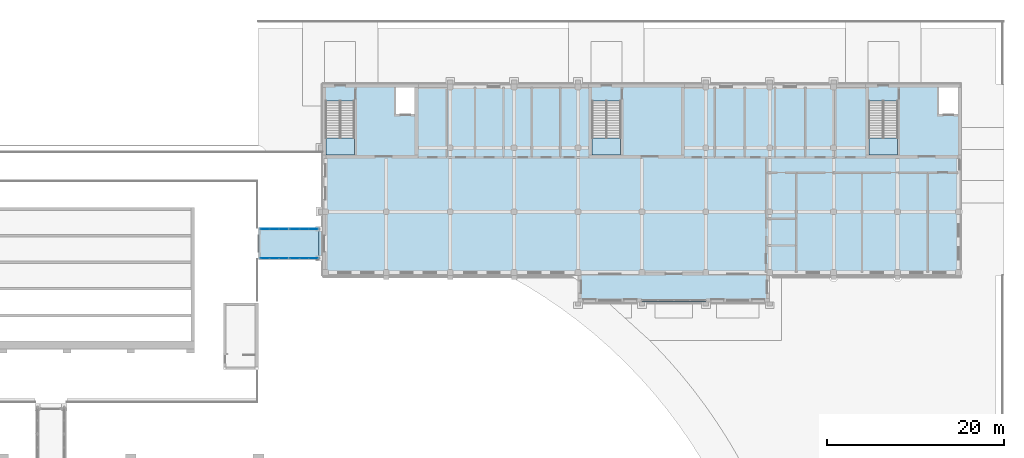
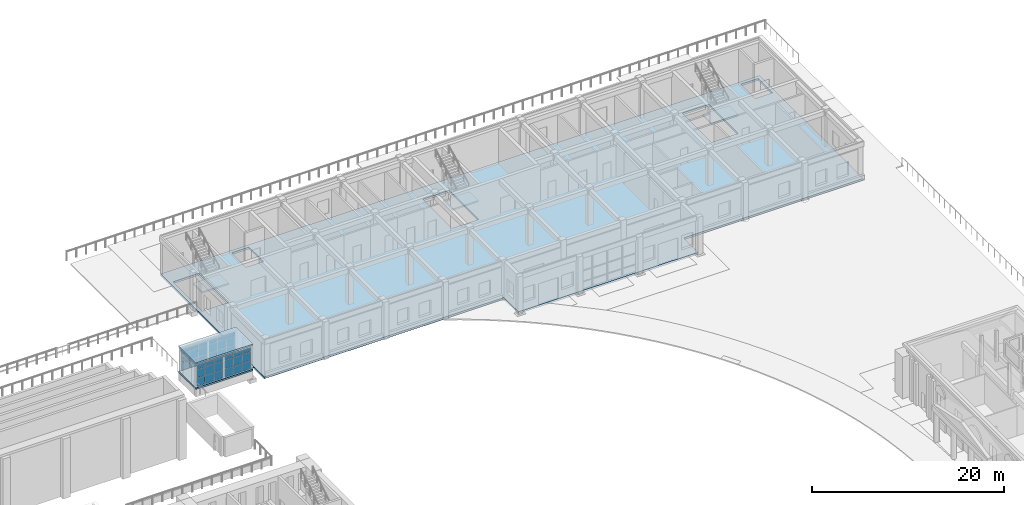
# One storey, part 74 of 131: 37 plates, 6 slabs, 7 elements without a shape of their own.
"""IFC4 building model written with IfcOpenShell, lengths in metres."""

from ifc_helpers import new_model, si_unit, direction, frame, origin, origin_2d, place, context, subcontext, project, spatial, polyline, rectangle, outline, extrude, material, layer, layer_set, type_object, element, aggregate, save


model = new_model("IFC4")

# Units and contexts
model_context = context("Model", 3, precision=1e-05, world=origin(), true_north=direction((0.0, 1.0)))
body_context = subcontext(model_context, "Body", "Model", "MODEL_VIEW")
ifc_project = project(units=[si_unit("LENGTHUNIT", "METRE"), si_unit("AREAUNIT", "SQUARE_METRE"), si_unit("VOLUMEUNIT", "CUBIC_METRE"), si_unit("PLANEANGLEUNIT", "RADIAN"), si_unit("MASSUNIT", "GRAM", prefix="KILO")], contexts=[model_context])

# Site, building, storey
site_placement = place(None, origin())
site = spatial("IfcSite", under=ifc_project, at=site_placement, CompositionType="ELEMENT")
building_placement = place(site_placement, origin())
building = spatial("IfcBuilding", under=site, at=building_placement, Name="Alderwick Market Hall", CompositionType="ELEMENT")
storey_placement = place(building_placement, frame((0.0, 0.0, 4.800048828125)))
storey = spatial("IfcBuildingStorey", under=building, at=storey_placement, Name="L00", CompositionType="ELEMENT", Elevation=4.800048828125)

# Slab
ifc_material_1 = material(Name="Concrete 4000 psi (f'c 28 MPa)", Category="concrete")
ifc_layer_1 = layer(ifc_material_1, 0.25)
ifc_layer_set_1 = layer_set([ifc_layer_1], Name="Concrete 4000 psi (f'c 28 MPa)")
slab_type_1 = type_object("IfcSlabType", Name="F Floor Slab Concrete 4000 psi 250", PredefinedType="FLOOR", material=ifc_layer_set_1)
slab_1_placement = place(storey_placement, frame((0.0, 0.0, -0.25)))
element("IfcSlab", 1, at=slab_1_placement, inside=storey, type_object=slab_type_1, Name="F.slab.L00.01", PredefinedType="FLOOR", context=body_context, shape_type="SweptSolid", body=[
    extrude(outline(polyline([(158.39990234375, 129.60009765625), (158.39990234375, 151.199951171875), (230.39990234375, 151.199951171875), (230.39990234375, 129.60009765625), (208.800048828125, 129.60009765625), (208.800048828125, 126.60009765625), (187.199951171875, 126.60009765625), (187.199951171875, 129.60009765625), (158.39990234375, 129.60009765625)]), holes=[polyline([(158.800048828125, 143.199951171875), (162.0, 143.199951171875), (162.0, 149.2900390625), (158.800048828125, 149.2900390625), (158.800048828125, 143.199951171875)]), polyline([(166.699951171875, 147.800048828125), (168.800048828125, 147.800048828125), (168.800048828125, 150.800048828125), (166.699951171875, 150.800048828125), (166.699951171875, 147.800048828125)]), polyline([(188.800048828125, 143.199951171875), (192.0, 143.199951171875), (192.0, 149.2900390625), (188.800048828125, 149.2900390625), (188.800048828125, 143.199951171875)]), polyline([(220.0, 143.199951171875), (223.199951171875, 143.199951171875), (223.199951171875, 149.2900390625), (220.0, 149.2900390625), (220.0, 143.199951171875)]), polyline([(227.89990234375, 147.800048828125), (230.0, 147.800048828125), (230.0, 150.800048828125), (227.89990234375, 150.800048828125), (227.89990234375, 147.800048828125)])]), origin(), (0.0, 0.0, 1.0), 0.25),
])

# Stair, slab
ifc_material_2 = material(Name="Concrete 5000 psi (f'c 35 MPa)", Category="concrete")
stair_type = type_object("IfcStairType", Name="F Exit Stair 1600", PredefinedType="HALF_TURN_STAIR", material=ifc_material_2)
stair_1_placement = place(storey_placement, origin())
stair_1 = element("IfcStair", 2, at=stair_1_placement, inside=storey, type_object=stair_type, Name="F.stair.L00.A", PredefinedType="HALF_TURN_STAIR")
ifc_layer_2 = layer(ifc_material_2, 0.199951171875)
ifc_layer_set_2 = layer_set([ifc_layer_2], Name="Concrete 5000 psi (f'c 35 MPa)")
slab_type_2 = type_object("IfcSlabType", Name="F Stair Landing Concrete 5000 psi 200", PredefinedType="LANDING", material=ifc_layer_set_2)
slab_2_placement = place(storey_placement, frame((0.0, 0.0, 2.199951171875)))
slab_2 = element("IfcSlab", 3, at=slab_2_placement, type_object=slab_type_2, Name="F-ST-A-L00 landing 1", PredefinedType="LANDING", context=body_context, shape_type="SweptSolid", body=[
    extrude(outline(polyline([(158.800048828125, 143.199951171875), (162.0, 143.199951171875), (162.0, 145.10009765625), (158.800048828125, 145.10009765625), (158.800048828125, 143.199951171875)])), origin(), (0.0, 0.0, 1.0), 0.199951171875),
])
aggregate(stair_1, [slab_2])

stair_2_placement = place(storey_placement, origin())
stair_2 = element("IfcStair", 4, at=stair_2_placement, inside=storey, type_object=stair_type, Name="F.stair.L00.B", PredefinedType="HALF_TURN_STAIR")
slab_3_placement = place(storey_placement, frame((0.0, 0.0, 2.199951171875)))
slab_3 = element("IfcSlab", 5, at=slab_3_placement, type_object=slab_type_2, Name="F-ST-B-L00 landing 1", PredefinedType="LANDING", context=body_context, shape_type="SweptSolid", body=[
    extrude(outline(polyline([(188.800048828125, 143.199951171875), (192.0, 143.199951171875), (192.0, 145.10009765625), (188.800048828125, 145.10009765625), (188.800048828125, 143.199951171875)])), origin(), (0.0, 0.0, 1.0), 0.199951171875),
])
aggregate(stair_2, [slab_3])

stair_3_placement = place(storey_placement, origin())
stair_3 = element("IfcStair", 6, at=stair_3_placement, inside=storey, type_object=stair_type, Name="F.stair.L00.C", PredefinedType="HALF_TURN_STAIR")
slab_4_placement = place(storey_placement, frame((0.0, 0.0, 2.199951171875)))
slab_4 = element("IfcSlab", 7, at=slab_4_placement, type_object=slab_type_2, Name="F-ST-C-L00 landing 1", PredefinedType="LANDING", context=body_context, shape_type="SweptSolid", body=[
    extrude(outline(polyline([(220.0, 143.199951171875), (223.199951171875, 143.199951171875), (223.199951171875, 145.10009765625), (220.0, 145.10009765625), (220.0, 143.199951171875)])), origin(), (0.0, 0.0, 1.0), 0.199951171875),
])
aggregate(stair_3, [slab_4])

# Curtain wall, plates
ifc_material_3 = material(Name="Aluminium frame", Category="aluminium")
ifc_layer_3 = layer(ifc_material_3, 0.10009765625)
ifc_layer_set_3 = layer_set([ifc_layer_3], Name="Aluminium frame")
curtain_wall_type = type_object("IfcCurtainWallType", Name="P Curtain Wall 100", PredefinedType="NOTDEFINED", material=ifc_layer_set_3)
curtain_wall_1_placement = place(storey_placement, origin())
curtain_wall_1 = element("IfcCurtainWall", 8, at=curtain_wall_1_placement, inside=storey, type_object=curtain_wall_type, Name="P.P9.cw.a0", PredefinedType="NOTDEFINED")
ifc_material_4 = material(Name="Glass, low-e insulated glazing", Category="glass")
ifc_layer_4 = layer(ifc_material_4, 0.028076171875)
ifc_layer_set_4 = layer_set([ifc_layer_4], Name="Glass, low-e insulated glazing")
plate_type_1 = type_object("IfcPlateType", Name="P Glass Panel 28", PredefinedType="CURTAIN_PANEL", material=ifc_layer_set_4)
plate_1_placement = place(storey_placement, frame((151.924072265625, 131.550048828125, 0.06005859375), z_axis=(0.0, 0.0, 1.0), x_axis=(1.0, 0.0, 0.0)))
plate_1 = element("IfcPlate", 9, at=plate_1_placement, type_object=plate_type_1, Name="P-CW9a0 panel 1.1", PredefinedType="CURTAIN_PANEL", context=body_context, shape_type="SweptSolid", body=[
    extrude(rectangle(XDim=0.97607421875, YDim=0.028076171875, at=origin_2d()), origin(), (0.0, 0.0, 1.0), 1.010009765625),
])
plate_2_placement = place(storey_placement, frame((151.924072265625, 131.550048828125, 1.1298828125), z_axis=(0.0, 0.0, 1.0), x_axis=(1.0, 0.0, 0.0)))
plate_2 = element("IfcPlate", 10, at=plate_2_placement, type_object=plate_type_1, Name="P-CW9a0 panel 1.2", PredefinedType="CURTAIN_PANEL", context=body_context, shape_type="SweptSolid", body=[
    extrude(rectangle(XDim=0.97607421875, YDim=0.028076171875, at=origin_2d()), origin(), (0.0, 0.0, 1.0), 1.0400390625),
])
plate_3_placement = place(storey_placement, frame((151.924072265625, 131.550048828125, 2.22998046875), z_axis=(0.0, 0.0, 1.0), x_axis=(1.0, 0.0, 0.0)))
plate_3 = element("IfcPlate", 11, at=plate_3_placement, type_object=plate_type_1, Name="P-CW9a0 panel 1.3", PredefinedType="CURTAIN_PANEL", context=body_context, shape_type="SweptSolid", body=[
    extrude(rectangle(XDim=0.97607421875, YDim=0.028076171875, at=origin_2d()), origin(), (0.0, 0.0, 1.0), 0.462890625),
])
plate_4_placement = place(storey_placement, frame((152.97509765625, 131.550048828125, 0.06005859375), z_axis=(0.0, 0.0, 1.0), x_axis=(1.0, 0.0, 0.0)))
plate_4 = element("IfcPlate", 12, at=plate_4_placement, type_object=plate_type_1, Name="P-CW9a0 panel 2.1", PredefinedType="CURTAIN_PANEL", context=body_context, shape_type="SweptSolid", body=[
    extrude(rectangle(XDim=1.006103515625, YDim=0.028076171875, at=origin_2d()), origin(), (0.0, 0.0, 1.0), 1.010009765625),
])
plate_5_placement = place(storey_placement, frame((152.97509765625, 131.550048828125, 1.1298828125), z_axis=(0.0, 0.0, 1.0), x_axis=(1.0, 0.0, 0.0)))
plate_5 = element("IfcPlate", 13, at=plate_5_placement, type_object=plate_type_1, Name="P-CW9a0 panel 2.2", PredefinedType="CURTAIN_PANEL", context=body_context, shape_type="SweptSolid", body=[
    extrude(rectangle(XDim=1.006103515625, YDim=0.028076171875, at=origin_2d()), origin(), (0.0, 0.0, 1.0), 1.0400390625),
])
plate_6_placement = place(storey_placement, frame((152.97509765625, 131.550048828125, 2.22998046875), z_axis=(0.0, 0.0, 1.0), x_axis=(1.0, 0.0, 0.0)))
plate_6 = element("IfcPlate", 14, at=plate_6_placement, type_object=plate_type_1, Name="P-CW9a0 panel 2.3", PredefinedType="CURTAIN_PANEL", context=body_context, shape_type="SweptSolid", body=[
    extrude(rectangle(XDim=1.006103515625, YDim=0.028076171875, at=origin_2d()), origin(), (0.0, 0.0, 1.0), 0.462890625),
])
plate_7_placement = place(storey_placement, frame((154.02587890625, 131.550048828125, 0.06005859375), z_axis=(0.0, 0.0, 1.0), x_axis=(1.0, 0.0, 0.0)))
plate_7 = element("IfcPlate", 15, at=plate_7_placement, type_object=plate_type_1, Name="P-CW9a0 panel 3.1", PredefinedType="CURTAIN_PANEL", context=body_context, shape_type="SweptSolid", body=[
    extrude(rectangle(XDim=0.97607421875, YDim=0.028076171875, at=origin_2d()), origin(), (0.0, 0.0, 1.0), 1.010009765625),
])
plate_8_placement = place(storey_placement, frame((154.02587890625, 131.550048828125, 1.1298828125), z_axis=(0.0, 0.0, 1.0), x_axis=(1.0, 0.0, 0.0)))
plate_8 = element("IfcPlate", 16, at=plate_8_placement, type_object=plate_type_1, Name="P-CW9a0 panel 3.2", PredefinedType="CURTAIN_PANEL", context=body_context, shape_type="SweptSolid", body=[
    extrude(rectangle(XDim=0.97607421875, YDim=0.028076171875, at=origin_2d()), origin(), (0.0, 0.0, 1.0), 1.0400390625),
])
plate_9_placement = place(storey_placement, frame((154.02587890625, 131.550048828125, 2.22998046875), z_axis=(0.0, 0.0, 1.0), x_axis=(1.0, 0.0, 0.0)))
plate_9 = element("IfcPlate", 17, at=plate_9_placement, type_object=plate_type_1, Name="P-CW9a0 panel 3.3", PredefinedType="CURTAIN_PANEL", context=body_context, shape_type="SweptSolid", body=[
    extrude(rectangle(XDim=0.97607421875, YDim=0.028076171875, at=origin_2d()), origin(), (0.0, 0.0, 1.0), 0.462890625),
])
aggregate(curtain_wall_1, [plate_1, plate_2, plate_3, plate_4, plate_5, plate_6, plate_7, plate_8, plate_9])

curtain_wall_2_placement = place(storey_placement, origin())
curtain_wall_2 = element("IfcCurtainWall", 18, at=curtain_wall_2_placement, inside=storey, type_object=curtain_wall_type, Name="P.P9.cw.a1", PredefinedType="NOTDEFINED")
plate_10_placement = place(storey_placement, frame((155.27392578125, 131.550048828125, 0.06005859375), z_axis=(0.0, 0.0, 1.0), x_axis=(1.0, 0.0, 0.0)))
plate_10 = element("IfcPlate", 19, at=plate_10_placement, type_object=plate_type_1, Name="P-CW9a1 panel 1.1", PredefinedType="CURTAIN_PANEL", context=body_context, shape_type="SweptSolid", body=[
    extrude(rectangle(XDim=0.97607421875, YDim=0.028076171875, at=origin_2d()), origin(), (0.0, 0.0, 1.0), 1.010009765625),
])
plate_11_placement = place(storey_placement, frame((155.27392578125, 131.550048828125, 1.1298828125), z_axis=(0.0, 0.0, 1.0), x_axis=(1.0, 0.0, 0.0)))
plate_11 = element("IfcPlate", 20, at=plate_11_placement, type_object=plate_type_1, Name="P-CW9a1 panel 1.2", PredefinedType="CURTAIN_PANEL", context=body_context, shape_type="SweptSolid", body=[
    extrude(rectangle(XDim=0.97607421875, YDim=0.028076171875, at=origin_2d()), origin(), (0.0, 0.0, 1.0), 1.0400390625),
])
plate_12_placement = place(storey_placement, frame((155.27392578125, 131.550048828125, 2.22998046875), z_axis=(0.0, 0.0, 1.0), x_axis=(1.0, 0.0, 0.0)))
plate_12 = element("IfcPlate", 21, at=plate_12_placement, type_object=plate_type_1, Name="P-CW9a1 panel 1.3", PredefinedType="CURTAIN_PANEL", context=body_context, shape_type="SweptSolid", body=[
    extrude(rectangle(XDim=0.97607421875, YDim=0.028076171875, at=origin_2d()), origin(), (0.0, 0.0, 1.0), 0.462890625),
])
plate_13_placement = place(storey_placement, frame((156.324951171875, 131.550048828125, 0.06005859375), z_axis=(0.0, 0.0, 1.0), x_axis=(1.0, 0.0, 0.0)))
plate_13 = element("IfcPlate", 22, at=plate_13_placement, type_object=plate_type_1, Name="P-CW9a1 panel 2.1", PredefinedType="CURTAIN_PANEL", context=body_context, shape_type="SweptSolid", body=[
    extrude(rectangle(XDim=1.006103515625, YDim=0.028076171875, at=origin_2d()), origin(), (0.0, 0.0, 1.0), 1.010009765625),
])
plate_14_placement = place(storey_placement, frame((156.324951171875, 131.550048828125, 1.1298828125), z_axis=(0.0, 0.0, 1.0), x_axis=(1.0, 0.0, 0.0)))
plate_14 = element("IfcPlate", 23, at=plate_14_placement, type_object=plate_type_1, Name="P-CW9a1 panel 2.2", PredefinedType="CURTAIN_PANEL", context=body_context, shape_type="SweptSolid", body=[
    extrude(rectangle(XDim=1.006103515625, YDim=0.028076171875, at=origin_2d()), origin(), (0.0, 0.0, 1.0), 1.0400390625),
])
plate_15_placement = place(storey_placement, frame((156.324951171875, 131.550048828125, 2.22998046875), z_axis=(0.0, 0.0, 1.0), x_axis=(1.0, 0.0, 0.0)))
plate_15 = element("IfcPlate", 24, at=plate_15_placement, type_object=plate_type_1, Name="P-CW9a1 panel 2.3", PredefinedType="CURTAIN_PANEL", context=body_context, shape_type="SweptSolid", body=[
    extrude(rectangle(XDim=1.006103515625, YDim=0.028076171875, at=origin_2d()), origin(), (0.0, 0.0, 1.0), 0.462890625),
])
plate_16_placement = place(storey_placement, frame((157.3759765625, 131.550048828125, 0.06005859375), z_axis=(0.0, 0.0, 1.0), x_axis=(1.0, 0.0, 0.0)))
plate_16 = element("IfcPlate", 25, at=plate_16_placement, type_object=plate_type_1, Name="P-CW9a1 panel 3.1", PredefinedType="CURTAIN_PANEL", context=body_context, shape_type="SweptSolid", body=[
    extrude(rectangle(XDim=0.97607421875, YDim=0.028076171875, at=origin_2d()), origin(), (0.0, 0.0, 1.0), 1.010009765625),
])
plate_17_placement = place(storey_placement, frame((157.3759765625, 131.550048828125, 1.1298828125), z_axis=(0.0, 0.0, 1.0), x_axis=(1.0, 0.0, 0.0)))
plate_17 = element("IfcPlate", 26, at=plate_17_placement, type_object=plate_type_1, Name="P-CW9a1 panel 3.2", PredefinedType="CURTAIN_PANEL", context=body_context, shape_type="SweptSolid", body=[
    extrude(rectangle(XDim=0.97607421875, YDim=0.028076171875, at=origin_2d()), origin(), (0.0, 0.0, 1.0), 1.0400390625),
])
plate_18_placement = place(storey_placement, frame((157.3759765625, 131.550048828125, 2.22998046875), z_axis=(0.0, 0.0, 1.0), x_axis=(1.0, 0.0, 0.0)))
plate_18 = element("IfcPlate", 27, at=plate_18_placement, type_object=plate_type_1, Name="P-CW9a1 panel 3.3", PredefinedType="CURTAIN_PANEL", context=body_context, shape_type="SweptSolid", body=[
    extrude(rectangle(XDim=0.97607421875, YDim=0.028076171875, at=origin_2d()), origin(), (0.0, 0.0, 1.0), 0.462890625),
])
aggregate(curtain_wall_2, [plate_10, plate_11, plate_12, plate_13, plate_14, plate_15, plate_16, plate_17, plate_18])

curtain_wall_3_placement = place(storey_placement, origin())
curtain_wall_3 = element("IfcCurtainWall", 28, at=curtain_wall_3_placement, inside=storey, type_object=curtain_wall_type, Name="P.P9.cw.b0", PredefinedType="NOTDEFINED")
plate_19_placement = place(storey_placement, frame((151.924072265625, 134.85009765625, 0.06005859375), z_axis=(0.0, 0.0, 1.0), x_axis=(1.0, 0.0, 0.0)))
plate_19 = element("IfcPlate", 29, at=plate_19_placement, type_object=plate_type_1, Name="P-CW9b0 panel 1.1", PredefinedType="CURTAIN_PANEL", context=body_context, shape_type="SweptSolid", body=[
    extrude(rectangle(XDim=0.97607421875, YDim=0.028076171875, at=origin_2d()), origin(), (0.0, 0.0, 1.0), 1.010009765625),
])
plate_20_placement = place(storey_placement, frame((151.924072265625, 134.85009765625, 1.1298828125), z_axis=(0.0, 0.0, 1.0), x_axis=(1.0, 0.0, 0.0)))
plate_20 = element("IfcPlate", 30, at=plate_20_placement, type_object=plate_type_1, Name="P-CW9b0 panel 1.2", PredefinedType="CURTAIN_PANEL", context=body_context, shape_type="SweptSolid", body=[
    extrude(rectangle(XDim=0.97607421875, YDim=0.028076171875, at=origin_2d()), origin(), (0.0, 0.0, 1.0), 1.0400390625),
])
plate_21_placement = place(storey_placement, frame((151.924072265625, 134.85009765625, 2.22998046875), z_axis=(0.0, 0.0, 1.0), x_axis=(1.0, 0.0, 0.0)))
plate_21 = element("IfcPlate", 31, at=plate_21_placement, type_object=plate_type_1, Name="P-CW9b0 panel 1.3", PredefinedType="CURTAIN_PANEL", context=body_context, shape_type="SweptSolid", body=[
    extrude(rectangle(XDim=0.97607421875, YDim=0.028076171875, at=origin_2d()), origin(), (0.0, 0.0, 1.0), 0.462890625),
])
plate_22_placement = place(storey_placement, frame((152.97509765625, 134.85009765625, 0.06005859375), z_axis=(0.0, 0.0, 1.0), x_axis=(1.0, 0.0, 0.0)))
plate_22 = element("IfcPlate", 32, at=plate_22_placement, type_object=plate_type_1, Name="P-CW9b0 panel 2.1", PredefinedType="CURTAIN_PANEL", context=body_context, shape_type="SweptSolid", body=[
    extrude(rectangle(XDim=1.006103515625, YDim=0.028076171875, at=origin_2d()), origin(), (0.0, 0.0, 1.0), 1.010009765625),
])
plate_23_placement = place(storey_placement, frame((152.97509765625, 134.85009765625, 1.1298828125), z_axis=(0.0, 0.0, 1.0), x_axis=(1.0, 0.0, 0.0)))
plate_23 = element("IfcPlate", 33, at=plate_23_placement, type_object=plate_type_1, Name="P-CW9b0 panel 2.2", PredefinedType="CURTAIN_PANEL", context=body_context, shape_type="SweptSolid", body=[
    extrude(rectangle(XDim=1.006103515625, YDim=0.028076171875, at=origin_2d()), origin(), (0.0, 0.0, 1.0), 1.0400390625),
])
plate_24_placement = place(storey_placement, frame((152.97509765625, 134.85009765625, 2.22998046875), z_axis=(0.0, 0.0, 1.0), x_axis=(1.0, 0.0, 0.0)))
plate_24 = element("IfcPlate", 34, at=plate_24_placement, type_object=plate_type_1, Name="P-CW9b0 panel 2.3", PredefinedType="CURTAIN_PANEL", context=body_context, shape_type="SweptSolid", body=[
    extrude(rectangle(XDim=1.006103515625, YDim=0.028076171875, at=origin_2d()), origin(), (0.0, 0.0, 1.0), 0.462890625),
])
plate_25_placement = place(storey_placement, frame((154.02587890625, 134.85009765625, 0.06005859375), z_axis=(0.0, 0.0, 1.0), x_axis=(1.0, 0.0, 0.0)))
plate_25 = element("IfcPlate", 35, at=plate_25_placement, type_object=plate_type_1, Name="P-CW9b0 panel 3.1", PredefinedType="CURTAIN_PANEL", context=body_context, shape_type="SweptSolid", body=[
    extrude(rectangle(XDim=0.97607421875, YDim=0.028076171875, at=origin_2d()), origin(), (0.0, 0.0, 1.0), 1.010009765625),
])
plate_26_placement = place(storey_placement, frame((154.02587890625, 134.85009765625, 1.1298828125), z_axis=(0.0, 0.0, 1.0), x_axis=(1.0, 0.0, 0.0)))
plate_26 = element("IfcPlate", 36, at=plate_26_placement, type_object=plate_type_1, Name="P-CW9b0 panel 3.2", PredefinedType="CURTAIN_PANEL", context=body_context, shape_type="SweptSolid", body=[
    extrude(rectangle(XDim=0.97607421875, YDim=0.028076171875, at=origin_2d()), origin(), (0.0, 0.0, 1.0), 1.0400390625),
])
plate_27_placement = place(storey_placement, frame((154.02587890625, 134.85009765625, 2.22998046875), z_axis=(0.0, 0.0, 1.0), x_axis=(1.0, 0.0, 0.0)))
plate_27 = element("IfcPlate", 37, at=plate_27_placement, type_object=plate_type_1, Name="P-CW9b0 panel 3.3", PredefinedType="CURTAIN_PANEL", context=body_context, shape_type="SweptSolid", body=[
    extrude(rectangle(XDim=0.97607421875, YDim=0.028076171875, at=origin_2d()), origin(), (0.0, 0.0, 1.0), 0.462890625),
])
aggregate(curtain_wall_3, [plate_19, plate_20, plate_21, plate_22, plate_23, plate_24, plate_25, plate_26, plate_27])

curtain_wall_4_placement = place(storey_placement, origin())
curtain_wall_4 = element("IfcCurtainWall", 38, at=curtain_wall_4_placement, inside=storey, type_object=curtain_wall_type, Name="P.P9.cw.b1", PredefinedType="NOTDEFINED")
plate_28_placement = place(storey_placement, frame((155.27392578125, 134.85009765625, 0.06005859375), z_axis=(0.0, 0.0, 1.0), x_axis=(1.0, 0.0, 0.0)))
plate_28 = element("IfcPlate", 39, at=plate_28_placement, type_object=plate_type_1, Name="P-CW9b1 panel 1.1", PredefinedType="CURTAIN_PANEL", context=body_context, shape_type="SweptSolid", body=[
    extrude(rectangle(XDim=0.97607421875, YDim=0.028076171875, at=origin_2d()), origin(), (0.0, 0.0, 1.0), 1.010009765625),
])
plate_29_placement = place(storey_placement, frame((155.27392578125, 134.85009765625, 1.1298828125), z_axis=(0.0, 0.0, 1.0), x_axis=(1.0, 0.0, 0.0)))
plate_29 = element("IfcPlate", 40, at=plate_29_placement, type_object=plate_type_1, Name="P-CW9b1 panel 1.2", PredefinedType="CURTAIN_PANEL", context=body_context, shape_type="SweptSolid", body=[
    extrude(rectangle(XDim=0.97607421875, YDim=0.028076171875, at=origin_2d()), origin(), (0.0, 0.0, 1.0), 1.0400390625),
])
plate_30_placement = place(storey_placement, frame((155.27392578125, 134.85009765625, 2.22998046875), z_axis=(0.0, 0.0, 1.0), x_axis=(1.0, 0.0, 0.0)))
plate_30 = element("IfcPlate", 41, at=plate_30_placement, type_object=plate_type_1, Name="P-CW9b1 panel 1.3", PredefinedType="CURTAIN_PANEL", context=body_context, shape_type="SweptSolid", body=[
    extrude(rectangle(XDim=0.97607421875, YDim=0.028076171875, at=origin_2d()), origin(), (0.0, 0.0, 1.0), 0.462890625),
])
plate_31_placement = place(storey_placement, frame((156.324951171875, 134.85009765625, 0.06005859375), z_axis=(0.0, 0.0, 1.0), x_axis=(1.0, 0.0, 0.0)))
plate_31 = element("IfcPlate", 42, at=plate_31_placement, type_object=plate_type_1, Name="P-CW9b1 panel 2.1", PredefinedType="CURTAIN_PANEL", context=body_context, shape_type="SweptSolid", body=[
    extrude(rectangle(XDim=1.006103515625, YDim=0.028076171875, at=origin_2d()), origin(), (0.0, 0.0, 1.0), 1.010009765625),
])
plate_32_placement = place(storey_placement, frame((156.324951171875, 134.85009765625, 1.1298828125), z_axis=(0.0, 0.0, 1.0), x_axis=(1.0, 0.0, 0.0)))
plate_32 = element("IfcPlate", 43, at=plate_32_placement, type_object=plate_type_1, Name="P-CW9b1 panel 2.2", PredefinedType="CURTAIN_PANEL", context=body_context, shape_type="SweptSolid", body=[
    extrude(rectangle(XDim=1.006103515625, YDim=0.028076171875, at=origin_2d()), origin(), (0.0, 0.0, 1.0), 1.0400390625),
])
plate_33_placement = place(storey_placement, frame((156.324951171875, 134.85009765625, 2.22998046875), z_axis=(0.0, 0.0, 1.0), x_axis=(1.0, 0.0, 0.0)))
plate_33 = element("IfcPlate", 44, at=plate_33_placement, type_object=plate_type_1, Name="P-CW9b1 panel 2.3", PredefinedType="CURTAIN_PANEL", context=body_context, shape_type="SweptSolid", body=[
    extrude(rectangle(XDim=1.006103515625, YDim=0.028076171875, at=origin_2d()), origin(), (0.0, 0.0, 1.0), 0.462890625),
])
plate_34_placement = place(storey_placement, frame((157.3759765625, 134.85009765625, 0.06005859375), z_axis=(0.0, 0.0, 1.0), x_axis=(1.0, 0.0, 0.0)))
plate_34 = element("IfcPlate", 45, at=plate_34_placement, type_object=plate_type_1, Name="P-CW9b1 panel 3.1", PredefinedType="CURTAIN_PANEL", context=body_context, shape_type="SweptSolid", body=[
    extrude(rectangle(XDim=0.97607421875, YDim=0.028076171875, at=origin_2d()), origin(), (0.0, 0.0, 1.0), 1.010009765625),
])
plate_35_placement = place(storey_placement, frame((157.3759765625, 134.85009765625, 1.1298828125), z_axis=(0.0, 0.0, 1.0), x_axis=(1.0, 0.0, 0.0)))
plate_35 = element("IfcPlate", 46, at=plate_35_placement, type_object=plate_type_1, Name="P-CW9b1 panel 3.2", PredefinedType="CURTAIN_PANEL", context=body_context, shape_type="SweptSolid", body=[
    extrude(rectangle(XDim=0.97607421875, YDim=0.028076171875, at=origin_2d()), origin(), (0.0, 0.0, 1.0), 1.0400390625),
])
plate_36_placement = place(storey_placement, frame((157.3759765625, 134.85009765625, 2.22998046875), z_axis=(0.0, 0.0, 1.0), x_axis=(1.0, 0.0, 0.0)))
plate_36 = element("IfcPlate", 47, at=plate_36_placement, type_object=plate_type_1, Name="P-CW9b1 panel 3.3", PredefinedType="CURTAIN_PANEL", context=body_context, shape_type="SweptSolid", body=[
    extrude(rectangle(XDim=0.97607421875, YDim=0.028076171875, at=origin_2d()), origin(), (0.0, 0.0, 1.0), 0.462890625),
])
aggregate(curtain_wall_4, [plate_28, plate_29, plate_30, plate_31, plate_32, plate_33, plate_34, plate_35, plate_36])

# Plate
ifc_material_5 = material(Name="Stainless steel plate, grade 316", Category="steel")
ifc_layer_5 = layer(ifc_material_5, 0.011962890625)
ifc_layer_set_5 = layer_set([ifc_layer_5], Name="Stainless steel plate, grade 316")
plate_type_2 = type_object("IfcPlateType", Name="P Joint Cover Plate 12", PredefinedType="SHEET", material=ifc_layer_set_5)
plate_37_placement = place(storey_placement, frame((158.175048828125, 133.199951171875, 0.0), z_axis=(0.0, 0.0, 1.0), x_axis=(1.0, 0.0, 0.0)))
element("IfcPlate", 48, at=plate_37_placement, inside=storey, type_object=plate_type_2, Name="Threshold cover plate", PredefinedType="SHEET", context=body_context, shape_type="SweptSolid", body=[
    extrude(rectangle(XDim=0.449951171875, YDim=3.14794921875, at=origin_2d()), origin(), (0.0, 0.0, 1.0), 0.011962890625),
])

# Slabs
ifc_layer_6 = layer(ifc_material_1, 0.199951171875)
ifc_layer_set_6 = layer_set([ifc_layer_6], Name="Concrete 4000 psi (f'c 28 MPa)")
slab_type_3 = type_object("IfcSlabType", Name="P Passage Roof Deck 200", PredefinedType="ROOF", material=ifc_layer_set_6)
slab_5_placement = place(storey_placement, frame((0.0, 0.0, 3.0)))
element("IfcSlab", 49, at=slab_5_placement, inside=storey, type_object=slab_type_3, Name="P.P9.roof", PredefinedType="ROOF", context=body_context, shape_type="SweptSolid", body=[
    extrude(outline(polyline([(151.199951171875, 131.39990234375), (158.10009765625, 131.39990234375), (158.10009765625, 135.0), (151.199951171875, 135.0), (151.199951171875, 131.39990234375)])), origin(), (0.0, 0.0, 1.0), 0.199951171875),
])
ifc_layer_7 = layer(ifc_material_1, 0.199951171875)
ifc_layer_set_7 = layer_set([ifc_layer_7], Name="Concrete 4000 psi (f'c 28 MPa)")
slab_type_4 = type_object("IfcSlabType", Name="P RC Passage Deck 200", PredefinedType="FLOOR", material=ifc_layer_set_7)
slab_6_placement = place(storey_placement, frame((0.0, 0.0, -0.199951171875)))
element("IfcSlab", 50, at=slab_6_placement, inside=storey, type_object=slab_type_4, Name="P.P9.deck", PredefinedType="FLOOR", context=body_context, shape_type="SweptSolid", body=[
    extrude(outline(polyline([(151.199951171875, 131.39990234375), (158.10009765625, 131.39990234375), (158.10009765625, 135.0), (151.199951171875, 135.0), (151.199951171875, 131.39990234375)])), origin(), (0.0, 0.0, 1.0), 0.199951171875),
])

save(model, "model.ifc")
